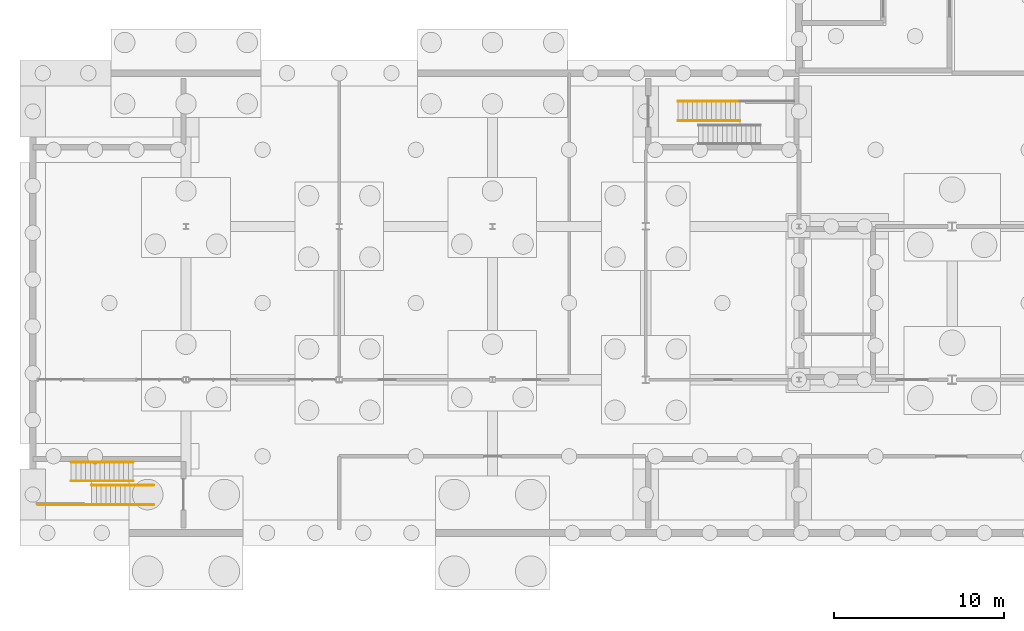
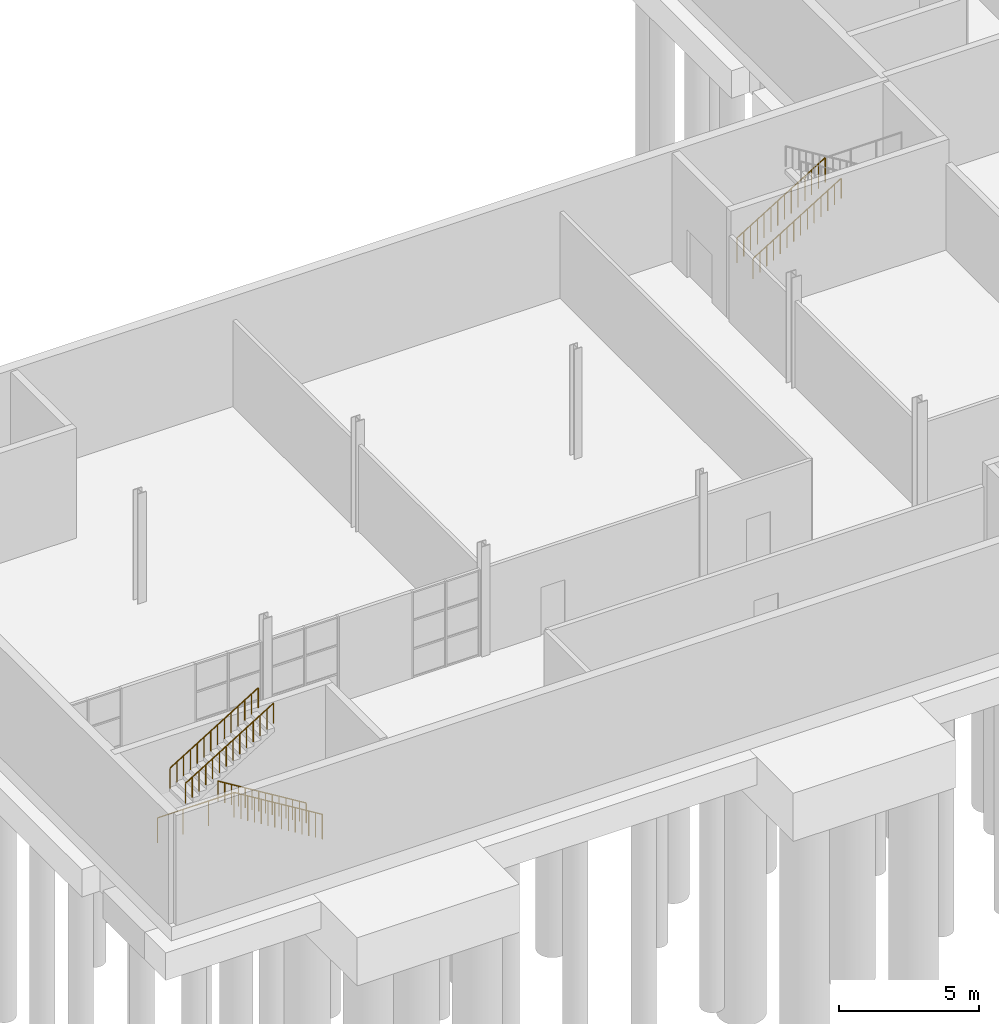
# One storey, part 15 of 17: 7 railings.
"""IFC4 building model written with IfcOpenShell, lengths in metres."""

from ifc_helpers import new_model, si_unit, direction, frame, origin, origin_2d, place, context, subcontext, project, spatial, circle, extrude, material, type_object, element, save


model = new_model("IFC4")

# Units and contexts
model_context = context("Model", 3, precision=1e-05, world=origin(), true_north=direction((0.0, 1.0)))
body_context = subcontext(model_context, "Body", "Model", "MODEL_VIEW")
ifc_project = project(units=[si_unit("LENGTHUNIT", "METRE"), si_unit("AREAUNIT", "SQUARE_METRE"), si_unit("VOLUMEUNIT", "CUBIC_METRE"), si_unit("PLANEANGLEUNIT", "RADIAN"), si_unit("MASSUNIT", "GRAM", prefix="KILO")], contexts=[model_context])

# Site, building, storey
site_placement = place(None, origin())
site = spatial("IfcSite", under=ifc_project, at=site_placement, CompositionType="ELEMENT")
building_placement = place(site_placement, origin())
building = spatial("IfcBuilding", under=site, at=building_placement, Name="Halyard Row Museum", CompositionType="ELEMENT")
storey_placement = place(building_placement, frame((0.0, 0.0, -9.60009765625)))
storey = spatial("IfcBuildingStorey", under=building, at=storey_placement, Name="B2", CompositionType="ELEMENT", Elevation=-9.60009765625)

# Railings
ifc_material_1 = material(Name="Steel Grade 300", Category="steel")
railing_type_1 = type_object("IfcRailingType", Name="Guard GR2 steel balustrade 1100", PredefinedType="GUARDRAIL", material=ifc_material_1)
railing_1_placement = place(storey_placement, frame((64.89990234375, 43.35009765625, 0.171630859375)))
element("IfcRailing", 1, at=railing_1_placement, inside=storey, type_object=railing_type_1, Name="Guard GR009", PredefinedType="GUARDRAIL", context=body_context, shape_type="SweptSolid", body=[
    extrude(circle(Radius=0.02392578125, at=origin_2d()), frame((0.0, 0.0, 1.076171875), z_axis=(0.852932391421, 0.0, 0.522021393877), x_axis=(0.0, 1.0, 0.0)), (0.0, 0.0, 1.0), 0.328369140625),
    extrude(circle(Radius=0.02392578125, at=origin_2d()), frame((0.280029296875, 0.0, 1.24755859375), z_axis=(0.852932391421, 0.0, 0.522021393877), x_axis=(0.0, 1.0, 0.0)), (0.0, 0.0, 1.0), 0.328369140625),
    extrude(circle(Radius=0.02392578125, at=origin_2d()), frame((0.56005859375, 0.0, 1.4189453125), z_axis=(0.852932391421, 0.0, 0.522021393877), x_axis=(0.0, 1.0, 0.0)), (0.0, 0.0, 1.0), 0.328369140625),
    extrude(circle(Radius=0.02392578125, at=origin_2d()), frame((0.840087890625, 0.0, 1.59033203125), z_axis=(0.852932391421, 0.0, 0.522021393877), x_axis=(0.0, 1.0, 0.0)), (0.0, 0.0, 1.0), 0.328369140625),
    extrude(circle(Radius=0.02392578125, at=origin_2d()), frame((1.1201171875, 0.0, 1.76171875), z_axis=(0.852932391421, 0.0, 0.522021393877), x_axis=(0.0, 1.0, 0.0)), (0.0, 0.0, 1.0), 0.328369140625),
    extrude(circle(Radius=0.02392578125, at=origin_2d()), frame((1.400146484375, 0.0, 1.93310546875), z_axis=(0.852601252411, 0.0, 0.522562057929), x_axis=(0.0, 1.0, 0.0)), (0.0, 0.0, 1.0), 0.328369140625),
    extrude(circle(Radius=0.02392578125, at=origin_2d()), frame((1.68017578125, 0.0, 2.1044921875), z_axis=(0.852932391421, 0.0, 0.522021393877), x_axis=(0.0, 1.0, 0.0)), (0.0, 0.0, 1.0), 0.328369140625),
    extrude(circle(Radius=0.02392578125, at=origin_2d()), frame((1.960205078125, 0.0, 2.27587890625), z_axis=(0.852729557261, 0.0, 0.522352660731), x_axis=(0.0, 1.0, 0.0)), (0.0, 0.0, 1.0), 0.328125),
    extrude(circle(Radius=0.02392578125, at=origin_2d()), frame((2.239990234375, 0.0, 2.447265625), z_axis=(0.852932391421, 0.0, 0.522021393877), x_axis=(0.0, 1.0, 0.0)), (0.0, 0.0, 1.0), 0.328369140625),
    extrude(circle(Radius=0.02392578125, at=origin_2d()), frame((2.52001953125, 0.0, 2.61865234375), z_axis=(0.852932391421, 0.0, 0.522021393877), x_axis=(0.0, 1.0, 0.0)), (0.0, 0.0, 1.0), 0.328369140625),
    extrude(circle(Radius=0.02392578125, at=origin_2d()), frame((2.800048828125, 0.0, 2.7900390625), z_axis=(0.852932391421, 0.0, 0.522021393877), x_axis=(0.0, 1.0, 0.0)), (0.0, 0.0, 1.0), 0.328369140625),
    extrude(circle(Radius=0.02392578125, at=origin_2d()), frame((3.080078125, 0.0, 2.96142578125), z_axis=(0.852601252411, 0.0, 0.522562057929), x_axis=(0.0, 1.0, 0.0)), (0.0, 0.0, 1.0), 0.328369140625),
    extrude(circle(Radius=0.02392578125, at=origin_2d()), frame((3.360107421875, 0.0, 3.13330078125), z_axis=(0.852932391421, 0.0, 0.522021393877), x_axis=(0.0, 1.0, 0.0)), (0.0, 0.0, 1.0), 0.328369140625),
    extrude(circle(Radius=0.02099609375, at=origin_2d()), origin(), (0.0, 0.0, 1.0), 1.052001953125),
    extrude(circle(Radius=0.02099609375, at=origin_2d()), frame((0.280029296875, 0.0, 0.17138671875)), (0.0, 0.0, 1.0), 1.052001953125),
    extrude(circle(Radius=0.02099609375, at=origin_2d()), frame((0.56005859375, 0.0, 0.3427734375)), (0.0, 0.0, 1.0), 1.052001953125),
    extrude(circle(Radius=0.02099609375, at=origin_2d()), frame((0.840087890625, 0.0, 0.51416015625)), (0.0, 0.0, 1.0), 1.052001953125),
    extrude(circle(Radius=0.02099609375, at=origin_2d()), frame((1.1201171875, 0.0, 0.685546875)), (0.0, 0.0, 1.0), 1.052001953125),
    extrude(circle(Radius=0.02099609375, at=origin_2d()), frame((1.400146484375, 0.0, 0.85693359375)), (0.0, 0.0, 1.0), 1.052001953125),
    extrude(circle(Radius=0.02099609375, at=origin_2d()), frame((1.68017578125, 0.0, 1.028564453125)), (0.0, 0.0, 1.0), 1.052001953125),
    extrude(circle(Radius=0.02099609375, at=origin_2d()), frame((1.960205078125, 0.0, 1.199951171875)), (0.0, 0.0, 1.0), 1.052001953125),
    extrude(circle(Radius=0.02099609375, at=origin_2d()), frame((2.239990234375, 0.0, 1.371337890625)), (0.0, 0.0, 1.0), 1.052001953125),
    extrude(circle(Radius=0.02099609375, at=origin_2d()), frame((2.52001953125, 0.0, 1.542724609375)), (0.0, 0.0, 1.0), 1.052001953125),
    extrude(circle(Radius=0.02099609375, at=origin_2d()), frame((2.800048828125, 0.0, 1.714111328125)), (0.0, 0.0, 1.0), 1.052001953125),
    extrude(circle(Radius=0.02099609375, at=origin_2d()), frame((3.080078125, 0.0, 1.885498046875)), (0.0, 0.0, 1.0), 1.052001953125),
    extrude(circle(Radius=0.02099609375, at=origin_2d()), frame((3.360107421875, 0.0, 2.05712890625)), (0.0, 0.0, 1.0), 1.052001953125),
    extrude(circle(Radius=0.02099609375, at=origin_2d()), frame((3.64013671875, 0.0, 2.228515625)), (0.0, 0.0, 1.0), 1.052001953125),
])
railing_2_placement = place(storey_placement, frame((34.10009765625, 19.64990234375, 0.171630859375)))
element("IfcRailing", 2, at=railing_2_placement, inside=storey, type_object=railing_type_1, Name="Guard GR027", PredefinedType="GUARDRAIL", context=body_context, shape_type="SweptSolid", body=[
    extrude(circle(Radius=0.02392578125, at=origin_2d()), frame((0.0, 0.0, 1.076171875), z_axis=(-0.852932391421, 0.0, 0.522021393877), x_axis=(0.0, -1.0, 0.0)), (0.0, 0.0, 1.0), 0.328369140625),
    extrude(circle(Radius=0.02392578125, at=origin_2d()), frame((-0.280029296875, 0.0, 1.24755859375), z_axis=(-0.852932391421, 0.0, 0.522021393877), x_axis=(0.0, -1.0, 0.0)), (0.0, 0.0, 1.0), 0.328369140625),
    extrude(circle(Radius=0.02392578125, at=origin_2d()), frame((-0.56005859375, 0.0, 1.4189453125), z_axis=(-0.852932391421, 0.0, 0.522021393877), x_axis=(0.0, -1.0, 0.0)), (0.0, 0.0, 1.0), 0.328369140625),
    extrude(circle(Radius=0.02392578125, at=origin_2d()), frame((-0.840087890625, 0.0, 1.59033203125), z_axis=(-0.852932391421, 0.0, 0.522021393877), x_axis=(0.0, -1.0, 0.0)), (0.0, 0.0, 1.0), 0.328369140625),
    extrude(circle(Radius=0.02392578125, at=origin_2d()), frame((-1.1201171875, 0.0, 1.76171875), z_axis=(-0.852932391421, 0.0, 0.522021393877), x_axis=(0.0, -1.0, 0.0)), (0.0, 0.0, 1.0), 0.328369140625),
    extrude(circle(Radius=0.02392578125, at=origin_2d()), frame((-1.400146484375, 0.0, 1.93310546875), z_axis=(-0.852601252411, 0.0, 0.522562057929), x_axis=(0.0, -1.0, 0.0)), (0.0, 0.0, 1.0), 0.328369140625),
    extrude(circle(Radius=0.02392578125, at=origin_2d()), frame((-1.68017578125, 0.0, 2.1044921875), z_axis=(-0.852932391421, 0.0, 0.522021393877), x_axis=(0.0, -1.0, 0.0)), (0.0, 0.0, 1.0), 0.328369140625),
    extrude(circle(Radius=0.02392578125, at=origin_2d()), frame((-1.960205078125, 0.0, 2.27587890625), z_axis=(-0.852729557261, 0.0, 0.522352660731), x_axis=(0.0, -1.0, 0.0)), (0.0, 0.0, 1.0), 0.328125),
    extrude(circle(Radius=0.02392578125, at=origin_2d()), frame((-2.239990234375, 0.0, 2.447265625), z_axis=(-0.852932391421, 0.0, 0.522021393877), x_axis=(0.0, -1.0, 0.0)), (0.0, 0.0, 1.0), 0.328369140625),
    extrude(circle(Radius=0.02392578125, at=origin_2d()), frame((-2.52001953125, 0.0, 2.61865234375), z_axis=(-0.852932391421, 0.0, 0.522021393877), x_axis=(0.0, -1.0, 0.0)), (0.0, 0.0, 1.0), 0.328369140625),
    extrude(circle(Radius=0.02392578125, at=origin_2d()), frame((-2.800048828125, 0.0, 2.7900390625), z_axis=(-0.852932391421, 0.0, 0.522021393877), x_axis=(0.0, -1.0, 0.0)), (0.0, 0.0, 1.0), 0.328369140625),
    extrude(circle(Radius=0.02392578125, at=origin_2d()), frame((-3.080078125, 0.0, 2.96142578125), z_axis=(-0.852601252411, 0.0, 0.522562057929), x_axis=(0.0, -1.0, 0.0)), (0.0, 0.0, 1.0), 0.328369140625),
    extrude(circle(Radius=0.02392578125, at=origin_2d()), frame((-3.360107421875, 0.0, 3.13330078125), z_axis=(-0.852932391421, 0.0, 0.522021393877), x_axis=(0.0, -1.0, 0.0)), (0.0, 0.0, 1.0), 0.328369140625),
    extrude(circle(Radius=0.02099609375, at=origin_2d()), origin(), (0.0, 0.0, 1.0), 1.052001953125),
    extrude(circle(Radius=0.02099609375, at=origin_2d()), frame((-0.280029296875, 0.0, 0.17138671875)), (0.0, 0.0, 1.0), 1.052001953125),
    extrude(circle(Radius=0.02099609375, at=origin_2d()), frame((-0.56005859375, 0.0, 0.3427734375)), (0.0, 0.0, 1.0), 1.052001953125),
    extrude(circle(Radius=0.02099609375, at=origin_2d()), frame((-0.840087890625, 0.0, 0.51416015625)), (0.0, 0.0, 1.0), 1.052001953125),
    extrude(circle(Radius=0.02099609375, at=origin_2d()), frame((-1.1201171875, 0.0, 0.685546875)), (0.0, 0.0, 1.0), 1.052001953125),
    extrude(circle(Radius=0.02099609375, at=origin_2d()), frame((-1.400146484375, 0.0, 0.85693359375)), (0.0, 0.0, 1.0), 1.052001953125),
    extrude(circle(Radius=0.02099609375, at=origin_2d()), frame((-1.68017578125, 0.0, 1.028564453125)), (0.0, 0.0, 1.0), 1.052001953125),
    extrude(circle(Radius=0.02099609375, at=origin_2d()), frame((-1.960205078125, 0.0, 1.199951171875)), (0.0, 0.0, 1.0), 1.052001953125),
    extrude(circle(Radius=0.02099609375, at=origin_2d()), frame((-2.239990234375, 0.0, 1.371337890625)), (0.0, 0.0, 1.0), 1.052001953125),
    extrude(circle(Radius=0.02099609375, at=origin_2d()), frame((-2.52001953125, 0.0, 1.542724609375)), (0.0, 0.0, 1.0), 1.052001953125),
    extrude(circle(Radius=0.02099609375, at=origin_2d()), frame((-2.800048828125, 0.0, 1.714111328125)), (0.0, 0.0, 1.0), 1.052001953125),
    extrude(circle(Radius=0.02099609375, at=origin_2d()), frame((-3.080078125, 0.0, 1.885498046875)), (0.0, 0.0, 1.0), 1.052001953125),
    extrude(circle(Radius=0.02099609375, at=origin_2d()), frame((-3.360107421875, 0.0, 2.05712890625)), (0.0, 0.0, 1.0), 1.052001953125),
    extrude(circle(Radius=0.02099609375, at=origin_2d()), frame((-3.64013671875, 0.0, 2.228515625)), (0.0, 0.0, 1.0), 1.052001953125),
])
railing_3_placement = place(storey_placement, frame((30.4599609375, 19.64990234375, 2.400146484375)))
element("IfcRailing", 3, at=railing_3_placement, inside=storey, type_object=railing_type_1, Name="Guard GR028", PredefinedType="GUARDRAIL", context=body_context, shape_type="SweptSolid", body=[
    extrude(circle(Radius=0.02392578125, at=origin_2d()), frame((0.0, 0.0, 1.076171875), z_axis=(-1.0, 0.0, 0.0), x_axis=(0.0, -1.0, 0.0)), (0.0, 0.0, 1.0), 3.159912109375),
    extrude(circle(Radius=0.02099609375, at=origin_2d()), origin(), (0.0, 0.0, 1.0), 1.052001953125),
    extrude(circle(Radius=0.02099609375, at=origin_2d()), frame((-1.05322265625, 0.0, 0.0)), (0.0, 0.0, 1.0), 1.052001953125),
    extrude(circle(Radius=0.02099609375, at=origin_2d()), frame((-2.106689453125, 0.0, 0.0)), (0.0, 0.0, 1.0), 1.052001953125),
    extrude(circle(Radius=0.02099609375, at=origin_2d()), frame((-3.159912109375, 0.0, 0.0)), (0.0, 0.0, 1.0), 1.052001953125),
])
ifc_material_2 = material(Name="Steel Grade 300", Category="steel")
railing_type_2 = type_object("IfcRailingType", Name="Handrail HR2 steel 900", PredefinedType="HANDRAIL", material=ifc_material_2)
railing_4_placement = place(storey_placement, frame((64.89990234375, 42.199951171875, 0.171630859375)))
element("IfcRailing", 4, at=railing_4_placement, inside=storey, type_object=railing_type_2, Name="Handrail HR013", PredefinedType="HANDRAIL", context=body_context, shape_type="SweptSolid", body=[
    extrude(circle(Radius=0.02392578125, at=origin_2d()), frame((0.0, 0.0, 0.8759765625), z_axis=(0.852932391421, 0.0, 0.522021393877), x_axis=(0.0, 1.0, 0.0)), (0.0, 0.0, 1.0), 0.328369140625),
    extrude(circle(Radius=0.02392578125, at=origin_2d()), frame((0.280029296875, 0.0, 1.04736328125), z_axis=(0.852932391421, 0.0, 0.522021393877), x_axis=(0.0, 1.0, 0.0)), (0.0, 0.0, 1.0), 0.328369140625),
    extrude(circle(Radius=0.02392578125, at=origin_2d()), frame((0.56005859375, 0.0, 1.21875), z_axis=(0.852932391421, 0.0, 0.522021393877), x_axis=(0.0, 1.0, 0.0)), (0.0, 0.0, 1.0), 0.328369140625),
    extrude(circle(Radius=0.02392578125, at=origin_2d()), frame((0.840087890625, 0.0, 1.39013671875), z_axis=(0.852932391421, 0.0, 0.522021393877), x_axis=(0.0, 1.0, 0.0)), (0.0, 0.0, 1.0), 0.328369140625),
    extrude(circle(Radius=0.02392578125, at=origin_2d()), frame((1.1201171875, 0.0, 1.5615234375), z_axis=(0.852932391421, 0.0, 0.522021393877), x_axis=(0.0, 1.0, 0.0)), (0.0, 0.0, 1.0), 0.328369140625),
    extrude(circle(Radius=0.02392578125, at=origin_2d()), frame((1.400146484375, 0.0, 1.73291015625), z_axis=(0.852601252411, 0.0, 0.522562057929), x_axis=(0.0, 1.0, 0.0)), (0.0, 0.0, 1.0), 0.328369140625),
    extrude(circle(Radius=0.02392578125, at=origin_2d()), frame((1.68017578125, 0.0, 1.904296875), z_axis=(0.852932391421, 0.0, 0.522021393877), x_axis=(0.0, 1.0, 0.0)), (0.0, 0.0, 1.0), 0.328369140625),
    extrude(circle(Radius=0.02392578125, at=origin_2d()), frame((1.960205078125, 0.0, 2.07568359375), z_axis=(0.852729557261, 0.0, 0.522352660731), x_axis=(0.0, 1.0, 0.0)), (0.0, 0.0, 1.0), 0.328125),
    extrude(circle(Radius=0.02392578125, at=origin_2d()), frame((2.239990234375, 0.0, 2.2470703125), z_axis=(0.852932391421, 0.0, 0.522021393877), x_axis=(0.0, 1.0, 0.0)), (0.0, 0.0, 1.0), 0.328369140625),
    extrude(circle(Radius=0.02392578125, at=origin_2d()), frame((2.52001953125, 0.0, 2.41845703125), z_axis=(0.852932391421, 0.0, 0.522021393877), x_axis=(0.0, 1.0, 0.0)), (0.0, 0.0, 1.0), 0.328369140625),
    extrude(circle(Radius=0.02392578125, at=origin_2d()), frame((2.800048828125, 0.0, 2.58984375), z_axis=(0.852932391421, 0.0, 0.522021393877), x_axis=(0.0, 1.0, 0.0)), (0.0, 0.0, 1.0), 0.328369140625),
    extrude(circle(Radius=0.02392578125, at=origin_2d()), frame((3.080078125, 0.0, 2.76123046875), z_axis=(0.852601252411, 0.0, 0.522562057929), x_axis=(0.0, 1.0, 0.0)), (0.0, 0.0, 1.0), 0.328369140625),
    extrude(circle(Radius=0.02392578125, at=origin_2d()), frame((3.360107421875, 0.0, 2.93310546875), z_axis=(0.852932391421, 0.0, 0.522021393877), x_axis=(0.0, 1.0, 0.0)), (0.0, 0.0, 1.0), 0.328369140625),
    extrude(circle(Radius=0.02099609375, at=origin_2d()), origin(), (0.0, 0.0, 1.0), 0.851806640625),
    extrude(circle(Radius=0.02099609375, at=origin_2d()), frame((0.280029296875, 0.0, 0.17138671875)), (0.0, 0.0, 1.0), 0.851806640625),
    extrude(circle(Radius=0.02099609375, at=origin_2d()), frame((0.56005859375, 0.0, 0.3427734375)), (0.0, 0.0, 1.0), 0.851806640625),
    extrude(circle(Radius=0.02099609375, at=origin_2d()), frame((0.840087890625, 0.0, 0.51416015625)), (0.0, 0.0, 1.0), 0.851806640625),
    extrude(circle(Radius=0.02099609375, at=origin_2d()), frame((1.1201171875, 0.0, 0.685546875)), (0.0, 0.0, 1.0), 0.851806640625),
    extrude(circle(Radius=0.02099609375, at=origin_2d()), frame((1.400146484375, 0.0, 0.85693359375)), (0.0, 0.0, 1.0), 0.851806640625),
    extrude(circle(Radius=0.02099609375, at=origin_2d()), frame((1.68017578125, 0.0, 1.028564453125)), (0.0, 0.0, 1.0), 0.851806640625),
    extrude(circle(Radius=0.02099609375, at=origin_2d()), frame((1.960205078125, 0.0, 1.199951171875)), (0.0, 0.0, 1.0), 0.851806640625),
    extrude(circle(Radius=0.02099609375, at=origin_2d()), frame((2.239990234375, 0.0, 1.371337890625)), (0.0, 0.0, 1.0), 0.851806640625),
    extrude(circle(Radius=0.02099609375, at=origin_2d()), frame((2.52001953125, 0.0, 1.542724609375)), (0.0, 0.0, 1.0), 0.851806640625),
    extrude(circle(Radius=0.02099609375, at=origin_2d()), frame((2.800048828125, 0.0, 1.714111328125)), (0.0, 0.0, 1.0), 0.851806640625),
    extrude(circle(Radius=0.02099609375, at=origin_2d()), frame((3.080078125, 0.0, 1.885498046875)), (0.0, 0.0, 1.0), 0.851806640625),
    extrude(circle(Radius=0.02099609375, at=origin_2d()), frame((3.360107421875, 0.0, 2.05712890625)), (0.0, 0.0, 1.0), 0.851806640625),
    extrude(circle(Radius=0.02099609375, at=origin_2d()), frame((3.64013671875, 0.0, 2.228515625)), (0.0, 0.0, 1.0), 0.851806640625),
])
railing_5_placement = place(storey_placement, frame((34.10009765625, 20.800048828125, 0.171630859375)))
element("IfcRailing", 5, at=railing_5_placement, inside=storey, type_object=railing_type_2, Name="Handrail HR040", PredefinedType="HANDRAIL", context=body_context, shape_type="SweptSolid", body=[
    extrude(circle(Radius=0.02392578125, at=origin_2d()), frame((0.0, 0.0, 0.8759765625), z_axis=(-0.852932391421, 0.0, 0.522021393877), x_axis=(0.0, -1.0, 0.0)), (0.0, 0.0, 1.0), 0.328369140625),
    extrude(circle(Radius=0.02392578125, at=origin_2d()), frame((-0.280029296875, 0.0, 1.04736328125), z_axis=(-0.852932391421, 0.0, 0.522021393877), x_axis=(0.0, -1.0, 0.0)), (0.0, 0.0, 1.0), 0.328369140625),
    extrude(circle(Radius=0.02392578125, at=origin_2d()), frame((-0.56005859375, 0.0, 1.21875), z_axis=(-0.852932391421, 0.0, 0.522021393877), x_axis=(0.0, -1.0, 0.0)), (0.0, 0.0, 1.0), 0.328369140625),
    extrude(circle(Radius=0.02392578125, at=origin_2d()), frame((-0.840087890625, 0.0, 1.39013671875), z_axis=(-0.852932391421, 0.0, 0.522021393877), x_axis=(0.0, -1.0, 0.0)), (0.0, 0.0, 1.0), 0.328369140625),
    extrude(circle(Radius=0.02392578125, at=origin_2d()), frame((-1.1201171875, 0.0, 1.5615234375), z_axis=(-0.852932391421, 0.0, 0.522021393877), x_axis=(0.0, -1.0, 0.0)), (0.0, 0.0, 1.0), 0.328369140625),
    extrude(circle(Radius=0.02392578125, at=origin_2d()), frame((-1.400146484375, 0.0, 1.73291015625), z_axis=(-0.852601252411, 0.0, 0.522562057929), x_axis=(0.0, -1.0, 0.0)), (0.0, 0.0, 1.0), 0.328369140625),
    extrude(circle(Radius=0.02392578125, at=origin_2d()), frame((-1.68017578125, 0.0, 1.904296875), z_axis=(-0.852932391421, 0.0, 0.522021393877), x_axis=(0.0, -1.0, 0.0)), (0.0, 0.0, 1.0), 0.328369140625),
    extrude(circle(Radius=0.02392578125, at=origin_2d()), frame((-1.960205078125, 0.0, 2.07568359375), z_axis=(-0.852729557261, 0.0, 0.522352660731), x_axis=(0.0, -1.0, 0.0)), (0.0, 0.0, 1.0), 0.328125),
    extrude(circle(Radius=0.02392578125, at=origin_2d()), frame((-2.239990234375, 0.0, 2.2470703125), z_axis=(-0.852932391421, 0.0, 0.522021393877), x_axis=(0.0, -1.0, 0.0)), (0.0, 0.0, 1.0), 0.328369140625),
    extrude(circle(Radius=0.02392578125, at=origin_2d()), frame((-2.52001953125, 0.0, 2.41845703125), z_axis=(-0.852932391421, 0.0, 0.522021393877), x_axis=(0.0, -1.0, 0.0)), (0.0, 0.0, 1.0), 0.328369140625),
    extrude(circle(Radius=0.02392578125, at=origin_2d()), frame((-2.800048828125, 0.0, 2.58984375), z_axis=(-0.852932391421, 0.0, 0.522021393877), x_axis=(0.0, -1.0, 0.0)), (0.0, 0.0, 1.0), 0.328369140625),
    extrude(circle(Radius=0.02392578125, at=origin_2d()), frame((-3.080078125, 0.0, 2.76123046875), z_axis=(-0.852601252411, 0.0, 0.522562057929), x_axis=(0.0, -1.0, 0.0)), (0.0, 0.0, 1.0), 0.328369140625),
    extrude(circle(Radius=0.02392578125, at=origin_2d()), frame((-3.360107421875, 0.0, 2.93310546875), z_axis=(-0.852932391421, 0.0, 0.522021393877), x_axis=(0.0, -1.0, 0.0)), (0.0, 0.0, 1.0), 0.328369140625),
    extrude(circle(Radius=0.02099609375, at=origin_2d()), origin(), (0.0, 0.0, 1.0), 0.851806640625),
    extrude(circle(Radius=0.02099609375, at=origin_2d()), frame((-0.280029296875, 0.0, 0.17138671875)), (0.0, 0.0, 1.0), 0.851806640625),
    extrude(circle(Radius=0.02099609375, at=origin_2d()), frame((-0.56005859375, 0.0, 0.3427734375)), (0.0, 0.0, 1.0), 0.851806640625),
    extrude(circle(Radius=0.02099609375, at=origin_2d()), frame((-0.840087890625, 0.0, 0.51416015625)), (0.0, 0.0, 1.0), 0.851806640625),
    extrude(circle(Radius=0.02099609375, at=origin_2d()), frame((-1.1201171875, 0.0, 0.685546875)), (0.0, 0.0, 1.0), 0.851806640625),
    extrude(circle(Radius=0.02099609375, at=origin_2d()), frame((-1.400146484375, 0.0, 0.85693359375)), (0.0, 0.0, 1.0), 0.851806640625),
    extrude(circle(Radius=0.02099609375, at=origin_2d()), frame((-1.68017578125, 0.0, 1.028564453125)), (0.0, 0.0, 1.0), 0.851806640625),
    extrude(circle(Radius=0.02099609375, at=origin_2d()), frame((-1.960205078125, 0.0, 1.199951171875)), (0.0, 0.0, 1.0), 0.851806640625),
    extrude(circle(Radius=0.02099609375, at=origin_2d()), frame((-2.239990234375, 0.0, 1.371337890625)), (0.0, 0.0, 1.0), 0.851806640625),
    extrude(circle(Radius=0.02099609375, at=origin_2d()), frame((-2.52001953125, 0.0, 1.542724609375)), (0.0, 0.0, 1.0), 0.851806640625),
    extrude(circle(Radius=0.02099609375, at=origin_2d()), frame((-2.800048828125, 0.0, 1.714111328125)), (0.0, 0.0, 1.0), 0.851806640625),
    extrude(circle(Radius=0.02099609375, at=origin_2d()), frame((-3.080078125, 0.0, 1.885498046875)), (0.0, 0.0, 1.0), 0.851806640625),
    extrude(circle(Radius=0.02099609375, at=origin_2d()), frame((-3.360107421875, 0.0, 2.05712890625)), (0.0, 0.0, 1.0), 0.851806640625),
    extrude(circle(Radius=0.02099609375, at=origin_2d()), frame((-3.64013671875, 0.0, 2.228515625)), (0.0, 0.0, 1.0), 0.851806640625),
])
railing_6_placement = place(storey_placement, frame((29.260009765625, 22.14990234375, 2.571533203125)))
element("IfcRailing", 6, at=railing_6_placement, inside=storey, type_object=railing_type_2, Name="Handrail HR041", PredefinedType="HANDRAIL", context=body_context, shape_type="SweptSolid", body=[
    extrude(circle(Radius=0.02392578125, at=origin_2d()), frame((0.0, 0.0, 0.8759765625), z_axis=(0.852932391421, 0.0, 0.522021393877), x_axis=(0.0, 1.0, 0.0)), (0.0, 0.0, 1.0), 0.328369140625),
    extrude(circle(Radius=0.02392578125, at=origin_2d()), frame((0.280029296875, 0.0, 1.04736328125), z_axis=(0.852932391421, 0.0, 0.522021393877), x_axis=(0.0, 1.0, 0.0)), (0.0, 0.0, 1.0), 0.328369140625),
    extrude(circle(Radius=0.02392578125, at=origin_2d()), frame((0.56005859375, 0.0, 1.21875), z_axis=(0.852932391421, 0.0, 0.522021393877), x_axis=(0.0, 1.0, 0.0)), (0.0, 0.0, 1.0), 0.328369140625),
    extrude(circle(Radius=0.02392578125, at=origin_2d()), frame((0.840087890625, 0.0, 1.39013671875), z_axis=(0.852398076939, 0.0, 0.522893410199), x_axis=(0.0, 1.0, 0.0)), (0.0, 0.0, 1.0), 0.328125),
    extrude(circle(Radius=0.02392578125, at=origin_2d()), frame((1.119873046875, 0.0, 1.5615234375), z_axis=(0.852932391421, 0.0, 0.522021393877), x_axis=(0.0, 1.0, 0.0)), (0.0, 0.0, 1.0), 0.328369140625),
    extrude(circle(Radius=0.02392578125, at=origin_2d()), frame((1.39990234375, 0.0, 1.73291015625), z_axis=(0.852932391421, 0.0, 0.522021393877), x_axis=(0.0, 1.0, 0.0)), (0.0, 0.0, 1.0), 0.328369140625),
    extrude(circle(Radius=0.02392578125, at=origin_2d()), frame((1.679931640625, 0.0, 1.904296875), z_axis=(0.852932391421, 0.0, 0.522021393877), x_axis=(0.0, 1.0, 0.0)), (0.0, 0.0, 1.0), 0.328369140625),
    extrude(circle(Radius=0.02392578125, at=origin_2d()), frame((1.9599609375, 0.0, 2.07568359375), z_axis=(0.852932391421, 0.0, 0.522021393877), x_axis=(0.0, 1.0, 0.0)), (0.0, 0.0, 1.0), 0.328369140625),
    extrude(circle(Radius=0.02392578125, at=origin_2d()), frame((2.239990234375, 0.0, 2.2470703125), z_axis=(0.852601252411, 0.0, 0.522562057929), x_axis=(0.0, 1.0, 0.0)), (0.0, 0.0, 1.0), 0.328369140625),
    extrude(circle(Radius=0.02392578125, at=origin_2d()), frame((2.52001953125, 0.0, 2.4189453125), z_axis=(0.852932391421, 0.0, 0.522021393877), x_axis=(0.0, 1.0, 0.0)), (0.0, 0.0, 1.0), 0.328369140625),
    extrude(circle(Radius=0.02392578125, at=origin_2d()), frame((2.800048828125, 0.0, 2.59033203125), z_axis=(0.852932391421, 0.0, 0.522021393877), x_axis=(0.0, 1.0, 0.0)), (0.0, 0.0, 1.0), 0.328369140625),
    extrude(circle(Radius=0.02392578125, at=origin_2d()), frame((3.080078125, 0.0, 2.76171875), z_axis=(0.852932391421, 0.0, 0.522021393877), x_axis=(0.0, 1.0, 0.0)), (0.0, 0.0, 1.0), 0.328369140625),
    extrude(circle(Radius=0.02392578125, at=origin_2d()), frame((3.360107421875, 0.0, 2.93310546875), z_axis=(0.852729557261, 0.0, 0.522352660731), x_axis=(0.0, 1.0, 0.0)), (0.0, 0.0, 1.0), 0.328125),
    extrude(circle(Radius=0.02099609375, at=origin_2d()), origin(), (0.0, 0.0, 1.0), 0.851806640625),
    extrude(circle(Radius=0.02099609375, at=origin_2d()), frame((0.280029296875, 0.0, 0.17138671875)), (0.0, 0.0, 1.0), 0.851806640625),
    extrude(circle(Radius=0.02099609375, at=origin_2d()), frame((0.56005859375, 0.0, 0.3427734375)), (0.0, 0.0, 1.0), 0.851806640625),
    extrude(circle(Radius=0.02099609375, at=origin_2d()), frame((0.840087890625, 0.0, 0.51416015625)), (0.0, 0.0, 1.0), 0.851806640625),
    extrude(circle(Radius=0.02099609375, at=origin_2d()), frame((1.119873046875, 0.0, 0.685791015625)), (0.0, 0.0, 1.0), 0.851806640625),
    extrude(circle(Radius=0.02099609375, at=origin_2d()), frame((1.39990234375, 0.0, 0.857177734375)), (0.0, 0.0, 1.0), 0.851806640625),
    extrude(circle(Radius=0.02099609375, at=origin_2d()), frame((1.679931640625, 0.0, 1.028564453125)), (0.0, 0.0, 1.0), 0.851806640625),
    extrude(circle(Radius=0.02099609375, at=origin_2d()), frame((1.9599609375, 0.0, 1.199951171875)), (0.0, 0.0, 1.0), 0.851806640625),
    extrude(circle(Radius=0.02099609375, at=origin_2d()), frame((2.239990234375, 0.0, 1.371337890625)), (0.0, 0.0, 1.0), 0.851806640625),
    extrude(circle(Radius=0.02099609375, at=origin_2d()), frame((2.52001953125, 0.0, 1.54296875)), (0.0, 0.0, 1.0), 0.851806640625),
    extrude(circle(Radius=0.02099609375, at=origin_2d()), frame((2.800048828125, 0.0, 1.71435546875)), (0.0, 0.0, 1.0), 0.851806640625),
    extrude(circle(Radius=0.02099609375, at=origin_2d()), frame((3.080078125, 0.0, 1.8857421875)), (0.0, 0.0, 1.0), 0.851806640625),
    extrude(circle(Radius=0.02099609375, at=origin_2d()), frame((3.360107421875, 0.0, 2.05712890625)), (0.0, 0.0, 1.0), 0.851806640625),
    extrude(circle(Radius=0.02099609375, at=origin_2d()), frame((3.639892578125, 0.0, 2.228515625)), (0.0, 0.0, 1.0), 0.851806640625),
])
railing_7_placement = place(storey_placement, frame((29.260009765625, 21.050048828125, 2.571533203125)))
element("IfcRailing", 7, at=railing_7_placement, inside=storey, type_object=railing_type_2, Name="Handrail HR042", PredefinedType="HANDRAIL", context=body_context, shape_type="SweptSolid", body=[
    extrude(circle(Radius=0.02392578125, at=origin_2d()), frame((0.0, 0.0, 0.8759765625), z_axis=(0.852932391421, 0.0, 0.522021393877), x_axis=(0.0, 1.0, 0.0)), (0.0, 0.0, 1.0), 0.328369140625),
    extrude(circle(Radius=0.02392578125, at=origin_2d()), frame((0.280029296875, 0.0, 1.04736328125), z_axis=(0.852932391421, 0.0, 0.522021393877), x_axis=(0.0, 1.0, 0.0)), (0.0, 0.0, 1.0), 0.328369140625),
    extrude(circle(Radius=0.02392578125, at=origin_2d()), frame((0.56005859375, 0.0, 1.21875), z_axis=(0.852932391421, 0.0, 0.522021393877), x_axis=(0.0, 1.0, 0.0)), (0.0, 0.0, 1.0), 0.328369140625),
    extrude(circle(Radius=0.02392578125, at=origin_2d()), frame((0.840087890625, 0.0, 1.39013671875), z_axis=(0.852398076939, 0.0, 0.522893410199), x_axis=(0.0, 1.0, 0.0)), (0.0, 0.0, 1.0), 0.328125),
    extrude(circle(Radius=0.02392578125, at=origin_2d()), frame((1.119873046875, 0.0, 1.5615234375), z_axis=(0.852932391421, 0.0, 0.522021393877), x_axis=(0.0, 1.0, 0.0)), (0.0, 0.0, 1.0), 0.328369140625),
    extrude(circle(Radius=0.02392578125, at=origin_2d()), frame((1.39990234375, 0.0, 1.73291015625), z_axis=(0.852932391421, 0.0, 0.522021393877), x_axis=(0.0, 1.0, 0.0)), (0.0, 0.0, 1.0), 0.328369140625),
    extrude(circle(Radius=0.02392578125, at=origin_2d()), frame((1.679931640625, 0.0, 1.904296875), z_axis=(0.852932391421, 0.0, 0.522021393877), x_axis=(0.0, 1.0, 0.0)), (0.0, 0.0, 1.0), 0.328369140625),
    extrude(circle(Radius=0.02392578125, at=origin_2d()), frame((1.9599609375, 0.0, 2.07568359375), z_axis=(0.852932391421, 0.0, 0.522021393877), x_axis=(0.0, 1.0, 0.0)), (0.0, 0.0, 1.0), 0.328369140625),
    extrude(circle(Radius=0.02392578125, at=origin_2d()), frame((2.239990234375, 0.0, 2.2470703125), z_axis=(0.852601252411, 0.0, 0.522562057929), x_axis=(0.0, 1.0, 0.0)), (0.0, 0.0, 1.0), 0.328369140625),
    extrude(circle(Radius=0.02392578125, at=origin_2d()), frame((2.52001953125, 0.0, 2.4189453125), z_axis=(0.852932391421, 0.0, 0.522021393877), x_axis=(0.0, 1.0, 0.0)), (0.0, 0.0, 1.0), 0.328369140625),
    extrude(circle(Radius=0.02392578125, at=origin_2d()), frame((2.800048828125, 0.0, 2.59033203125), z_axis=(0.852932391421, 0.0, 0.522021393877), x_axis=(0.0, 1.0, 0.0)), (0.0, 0.0, 1.0), 0.328369140625),
    extrude(circle(Radius=0.02392578125, at=origin_2d()), frame((3.080078125, 0.0, 2.76171875), z_axis=(0.852932391421, 0.0, 0.522021393877), x_axis=(0.0, 1.0, 0.0)), (0.0, 0.0, 1.0), 0.328369140625),
    extrude(circle(Radius=0.02392578125, at=origin_2d()), frame((3.360107421875, 0.0, 2.93310546875), z_axis=(0.852729557261, 0.0, 0.522352660731), x_axis=(0.0, 1.0, 0.0)), (0.0, 0.0, 1.0), 0.328125),
    extrude(circle(Radius=0.02099609375, at=origin_2d()), origin(), (0.0, 0.0, 1.0), 0.851806640625),
    extrude(circle(Radius=0.02099609375, at=origin_2d()), frame((0.280029296875, 0.0, 0.17138671875)), (0.0, 0.0, 1.0), 0.851806640625),
    extrude(circle(Radius=0.02099609375, at=origin_2d()), frame((0.56005859375, 0.0, 0.3427734375)), (0.0, 0.0, 1.0), 0.851806640625),
    extrude(circle(Radius=0.02099609375, at=origin_2d()), frame((0.840087890625, 0.0, 0.51416015625)), (0.0, 0.0, 1.0), 0.851806640625),
    extrude(circle(Radius=0.02099609375, at=origin_2d()), frame((1.119873046875, 0.0, 0.685791015625)), (0.0, 0.0, 1.0), 0.851806640625),
    extrude(circle(Radius=0.02099609375, at=origin_2d()), frame((1.39990234375, 0.0, 0.857177734375)), (0.0, 0.0, 1.0), 0.851806640625),
    extrude(circle(Radius=0.02099609375, at=origin_2d()), frame((1.679931640625, 0.0, 1.028564453125)), (0.0, 0.0, 1.0), 0.851806640625),
    extrude(circle(Radius=0.02099609375, at=origin_2d()), frame((1.9599609375, 0.0, 1.199951171875)), (0.0, 0.0, 1.0), 0.851806640625),
    extrude(circle(Radius=0.02099609375, at=origin_2d()), frame((2.239990234375, 0.0, 1.371337890625)), (0.0, 0.0, 1.0), 0.851806640625),
    extrude(circle(Radius=0.02099609375, at=origin_2d()), frame((2.52001953125, 0.0, 1.54296875)), (0.0, 0.0, 1.0), 0.851806640625),
    extrude(circle(Radius=0.02099609375, at=origin_2d()), frame((2.800048828125, 0.0, 1.71435546875)), (0.0, 0.0, 1.0), 0.851806640625),
    extrude(circle(Radius=0.02099609375, at=origin_2d()), frame((3.080078125, 0.0, 1.8857421875)), (0.0, 0.0, 1.0), 0.851806640625),
    extrude(circle(Radius=0.02099609375, at=origin_2d()), frame((3.360107421875, 0.0, 2.05712890625)), (0.0, 0.0, 1.0), 0.851806640625),
    extrude(circle(Radius=0.02099609375, at=origin_2d()), frame((3.639892578125, 0.0, 2.228515625)), (0.0, 0.0, 1.0), 0.851806640625),
])

save(model, "model.ifc")
